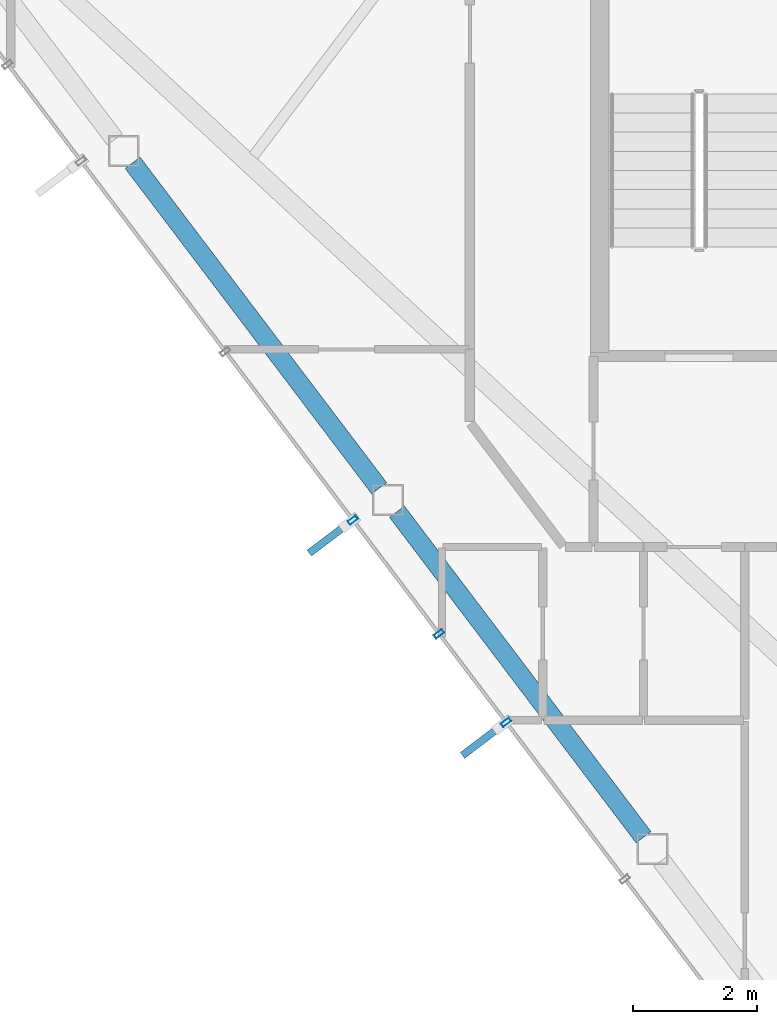
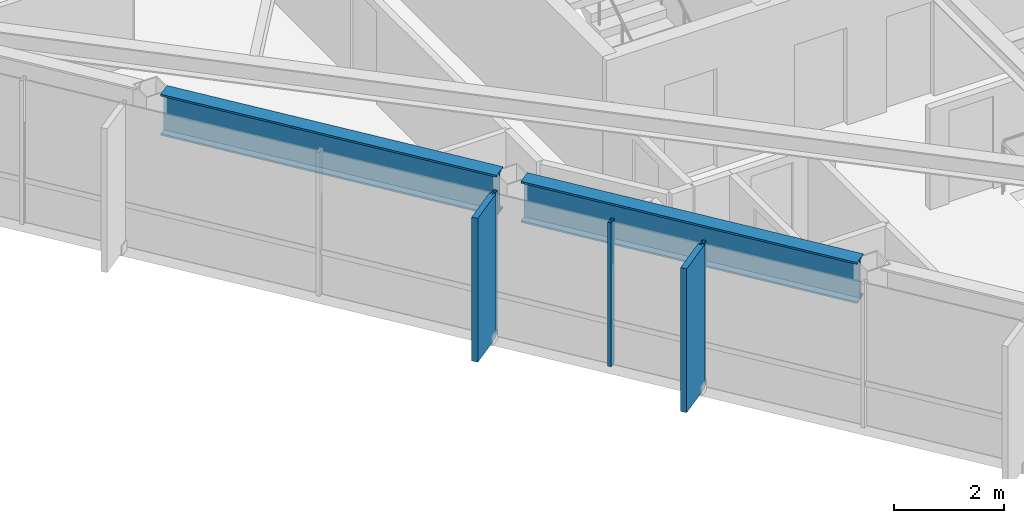
# One storey, part 3 of 25: 5 members, 2 beams, 1 element without a shape of its own.
"""IFC4 building model written with IfcOpenShell, lengths in metres."""

from ifc_helpers import new_model, si_unit, direction, frame, origin, origin_2d, place, context, subcontext, project, spatial, rectangle, hollow_rectangle, i_section, extrude, material, layer, layer_set, material_profile, profile_set, type_object, element, aggregate, save


model = new_model("IFC4")

# Units and contexts
model_context = context("Model", 3, precision=1e-05, world=origin(), true_north=direction((0.0, 1.0)))
body_context = subcontext(model_context, "Body", "Model", "MODEL_VIEW")
ifc_project = project(units=[si_unit("LENGTHUNIT", "METRE"), si_unit("AREAUNIT", "SQUARE_METRE"), si_unit("VOLUMEUNIT", "CUBIC_METRE"), si_unit("PLANEANGLEUNIT", "RADIAN"), si_unit("MASSUNIT", "GRAM", prefix="KILO")], contexts=[model_context])

# Site, building, storey
site_placement = place(None, origin())
site = spatial("IfcSite", under=ifc_project, at=site_placement, CompositionType="ELEMENT")
building_placement = place(site_placement, origin())
building = spatial("IfcBuilding", under=site, at=building_placement, Name="Zarrinselat Tower", CompositionType="ELEMENT")
storey_placement = place(building_placement, frame((0.0, 0.0, 261.800048828125)))
storey = spatial("IfcBuildingStorey", under=building, at=storey_placement, Name="L66", CompositionType="ELEMENT", Elevation=261.800048828125)

# Beams
ifc_material_1 = material(Name="Steel S460M", Category="steel")
ifc_material_profile_1 = material_profile(ifc_material_1, i_section(OverallWidth=0.302001953125, OverallDepth=0.909912109375, WebThickness=0.02099609375, FlangeThickness=0.0400390625, at=origin_2d()), Name="HEM 900")
ifc_profile_set_1 = profile_set([ifc_material_profile_1], Name="Steel S460M")
beam_type = type_object("IfcBeamType", Name="BM-HEM900", PredefinedType="BEAM", material=ifc_profile_set_1)
beam_1_placement = place(storey_placement, frame((21.095458984375, 36.365234375, 2.724853515625), z_axis=(0.603860534424, -0.797089991761, 0.0), x_axis=(0.797089991761, 0.603860534424, 0.0)))
element("IfcBeam", 1, at=beam_1_placement, inside=storey, type_object=beam_type, Name="L66 Perimeter Spandrel Girder SP07", PredefinedType="BEAM", context=body_context, shape_type="SweptSolid", body=[
    extrude(i_section(OverallWidth=0.302001953125, OverallDepth=0.909912109375, WebThickness=0.02099609375, FlangeThickness=0.0400390625, at=origin_2d()), origin(), (0.0, 0.0, 1.0), 6.60546875),
])
beam_2_placement = place(storey_placement, frame((25.37158203125, 30.720703125, 2.724853515625), z_axis=(0.60384274456, -0.797103468718, 0.0), x_axis=(0.797103468718, 0.60384274456, 0.0)))
element("IfcBeam", 2, at=beam_2_placement, inside=storey, type_object=beam_type, Name="L66 Perimeter Spandrel Girder SP08", PredefinedType="BEAM", context=body_context, shape_type="SweptSolid", body=[
    extrude(i_section(OverallWidth=0.302001953125, OverallDepth=0.909912109375, WebThickness=0.02099609375, FlangeThickness=0.0400390625, at=origin_2d()), origin(), (0.0, 0.0, 1.0), 6.605712890625),
])

# Curtain wall, members
ifc_material_2 = material(Name="Extruded Aluminium Alloy EN AW-6063 T6", Category="aluminium")
ifc_layer = layer(ifc_material_2, 0.169921875)
ifc_layer_set = layer_set([ifc_layer], Name="Extruded Aluminium Alloy EN AW-6063 T6")
curtain_wall_type = type_object("IfcCurtainWallType", Name="CWS-RES", PredefinedType="NOTDEFINED", material=ifc_layer_set)
curtain_wall_placement = place(storey_placement, origin())
curtain_wall = element("IfcCurtainWall", 3, at=curtain_wall_placement, inside=storey, type_object=curtain_wall_type, Name="L66 Unitised Curtain Wall CW-L66-E03", PredefinedType="NOTDEFINED")
ifc_material_3 = material(Name="Extruded Aluminium Alloy EN AW-6063 T6", Category="aluminium")
ifc_material_profile_2 = material_profile(ifc_material_3, hollow_rectangle(XDim=0.070068359375, YDim=0.159912109375, WallThickness=0.00390625, at=origin_2d()), Name="RHS 160x70x4")
ifc_profile_set_2 = profile_set([ifc_material_profile_2], Name="Extruded Aluminium Alloy EN AW-6063 T6")
member_type_1 = type_object("IfcMemberType", Name="MEM-CW-MUL2", PredefinedType="MULLION", material=ifc_profile_set_2)
member_1_placement = place(storey_placement, frame((24.65869140625, 30.585205078125, 0.0), z_axis=(0.0, 0.0, 1.0), x_axis=(0.603858282603, -0.797091697694, 0.0)))
member_1 = element("IfcMember", 4, at=member_1_placement, type_object=member_type_1, Name="CW-L66-E03 Mullion 5", PredefinedType="MULLION", context=body_context, shape_type="SweptSolid", body=[
    extrude(hollow_rectangle(XDim=0.070068359375, YDim=0.159912109375, WallThickness=0.00390625, at=origin_2d()), origin(), (0.0, 0.0, 1.0), 3.179931640625),
])
member_2_placement = place(storey_placement, frame((26.05224609375, 28.745849609375, 0.0), z_axis=(0.0, 0.0, 1.0), x_axis=(0.603858282603, -0.797091697694, 0.0)))
member_2 = element("IfcMember", 5, at=member_2_placement, type_object=member_type_1, Name="CW-L66-E03 Mullion 6", PredefinedType="MULLION", context=body_context, shape_type="SweptSolid", body=[
    extrude(hollow_rectangle(XDim=0.070068359375, YDim=0.159912109375, WallThickness=0.00390625, at=origin_2d()), origin(), (0.0, 0.0, 1.0), 3.179931640625),
])
member_3_placement = place(storey_placement, frame((27.13720703125, 27.313720703125, 0.0), z_axis=(0.0, 0.0, 1.0), x_axis=(0.603858282603, -0.797091697694, 0.0)))
member_3 = element("IfcMember", 6, at=member_3_placement, type_object=member_type_1, Name="CW-L66-E03 Mullion 7", PredefinedType="MULLION", context=body_context, shape_type="SweptSolid", body=[
    extrude(hollow_rectangle(XDim=0.070068359375, YDim=0.159912109375, WallThickness=0.00390625, at=origin_2d()), origin(), (0.0, 0.0, 1.0), 3.179931640625),
])
ifc_material_4 = material(Name="Honed Cream Travertine Stone", Category="masonry")
ifc_material_profile_3 = material_profile(ifc_material_4, rectangle(XDim=0.1201171875, YDim=0.85009765625, at=origin_2d()), Name="FIN 850x120")
ifc_profile_set_3 = profile_set([ifc_material_profile_3], Name="Honed Cream Travertine Stone")
member_type_2 = type_object("IfcMemberType", Name="MEM-STONE-FIN", PredefinedType="USERDEFINED", material=ifc_profile_set_3)
member_4_placement = place(storey_placement, frame((24.2919921875, 30.3076171875, 0.0), z_axis=(0.0, 0.0, 1.0), x_axis=(-0.603858282603, 0.797091697694, 0.0)))
member_4 = element("IfcMember", 7, at=member_4_placement, type_object=member_type_2, Name="L66 Stone Shading Fin CW-L66-E03-05", ObjectType="FIN", PredefinedType="USERDEFINED", context=body_context, shape_type="SweptSolid", body=[
    extrude(rectangle(XDim=0.1201171875, YDim=0.85009765625, at=origin_2d()), origin(), (0.0, 0.0, 1.0), 3.179931640625),
])
member_5_placement = place(storey_placement, frame((26.7705078125, 27.035888671875, 0.0), z_axis=(0.0, 0.0, 1.0), x_axis=(-0.603858282603, 0.797091697694, 0.0)))
member_5 = element("IfcMember", 8, at=member_5_placement, type_object=member_type_2, Name="L66 Stone Shading Fin CW-L66-E03-07", ObjectType="FIN", PredefinedType="USERDEFINED", context=body_context, shape_type="SweptSolid", body=[
    extrude(rectangle(XDim=0.1201171875, YDim=0.85009765625, at=origin_2d()), origin(), (0.0, 0.0, 1.0), 3.179931640625),
])
aggregate(curtain_wall, [member_1, member_4, member_2, member_3, member_5])

save(model, "model.ifc")
